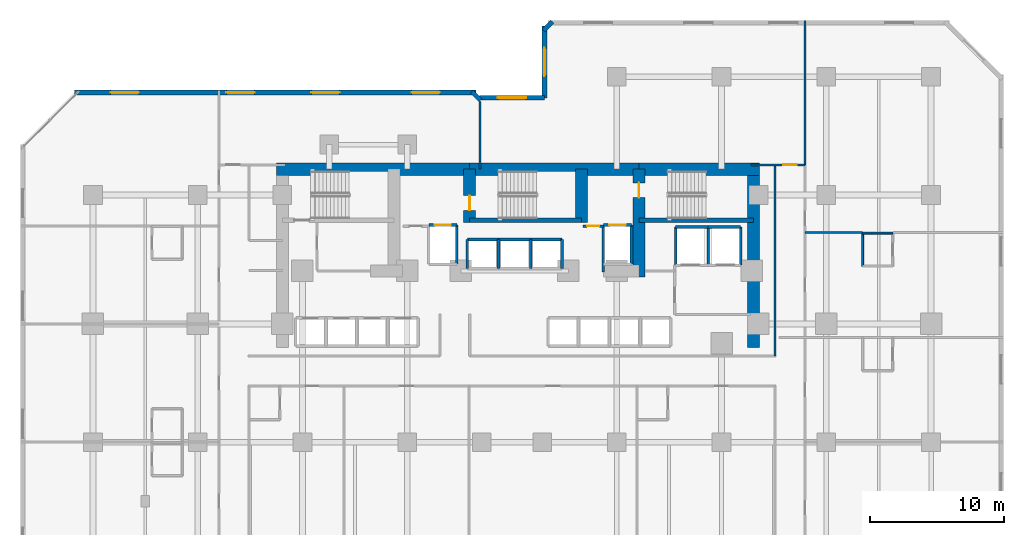
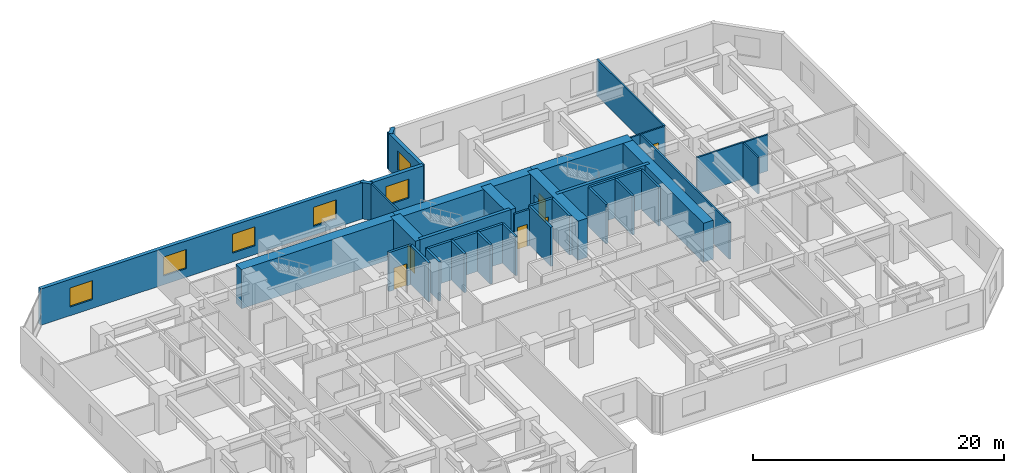
# One storey, part 8 of 11: 39 walls, 6 doors, 6 windows, 12 openings.
"""IFC4 building model written with IfcOpenShell, lengths in metres."""

from ifc_helpers import new_model, si_unit, direction, frame, frame_2d, origin, place, context, subcontext, project, spatial, rectangle, extrude, material, layer, layer_set, type_object, element, fill, save


model = new_model("IFC4")

# Units and contexts
model_context = context("Model", 3, precision=1e-05, world=origin(), true_north=direction((0.0, 1.0)))
body_context = subcontext(model_context, "Body", "Model", "MODEL_VIEW")
ifc_project = project(units=[si_unit("LENGTHUNIT", "METRE"), si_unit("AREAUNIT", "SQUARE_METRE"), si_unit("VOLUMEUNIT", "CUBIC_METRE"), si_unit("PLANEANGLEUNIT", "RADIAN"), si_unit("MASSUNIT", "GRAM", prefix="KILO")], contexts=[model_context])

# Site, building, storey
site_placement = place(None, origin())
site = spatial("IfcSite", under=ifc_project, at=site_placement, CompositionType="ELEMENT")
building_placement = place(site_placement, origin())
building = spatial("IfcBuilding", under=site, at=building_placement, Name="Kestravale Grand Hotel", CompositionType="ELEMENT")
storey_placement = place(building_placement, frame((0.0, 0.0, 45.0)))
storey = spatial("IfcBuildingStorey", under=building, at=storey_placement, Name="L10", CompositionType="ELEMENT", Elevation=45.0)

# Walls
ifc_material_1 = material(Name="Concrete f'c 70 MPa", Category="concrete")
ifc_layer_1 = layer(ifc_material_1, 0.89990234375)
ifc_layer_set_1 = layer_set([ifc_layer_1], Name="EW-CORE-900")
wall_type_1 = type_object("IfcWallType", Name="EW-CORE-900", PredefinedType="SHEAR", material=ifc_layer_set_1)
wall_1_placement = place(storey_placement, frame((21.449951171875, 40.320068359375, 0.0), z_axis=(0.0, 0.0, 1.0), x_axis=(1.0, 0.0, 0.0)))
element("IfcWall", 1, at=wall_1_placement, inside=storey, type_object=wall_type_1, Name="L10 core shear wall N1", PredefinedType="SHEAR", context=body_context, shape_type="SweptSolid", body=[
    extrude(rectangle(XDim=14.400146484375, YDim=0.89990234375, at=frame_2d((7.2001953125, 0.0))), origin(), (0.0, 0.0, 1.0), 3.800048828125),
])
wall_2_placement = place(storey_placement, frame((35.85009765625, 40.320068359375, 0.0), z_axis=(0.0, 0.0, 1.0), x_axis=(1.0, 0.0, 0.0)))
element("IfcWall", 2, at=wall_2_placement, inside=storey, type_object=wall_type_1, Name="L10 core shear wall N2", PredefinedType="SHEAR", context=body_context, shape_type="SweptSolid", body=[
    extrude(rectangle(XDim=12.599853515625, YDim=0.89990234375, at=frame_2d((6.2998046875, 0.0))), origin(), (0.0, 0.0, 1.0), 3.800048828125),
])
wall_3_placement = place(storey_placement, frame((48.449951171875, 40.320068359375, 0.0), z_axis=(0.0, 0.0, 1.0), x_axis=(1.0, 0.0, 0.0)))
element("IfcWall", 3, at=wall_3_placement, inside=storey, type_object=wall_type_1, Name="L10 core shear wall N3", PredefinedType="SHEAR", context=body_context, shape_type="SweptSolid", body=[
    extrude(rectangle(XDim=8.969970703125, YDim=0.89990234375, at=frame_2d((4.48486328125, 0.0))), origin(), (0.0, 0.0, 1.0), 3.800048828125),
])
wall_4_placement = place(storey_placement, frame((56.969970703125, 27.050048828125, 0.0), z_axis=(0.0, 0.0, 1.0), x_axis=(0.0, 1.0, 0.0)))
element("IfcWall", 4, at=wall_4_placement, inside=storey, type_object=wall_type_1, Name="L10 core shear wall E1", PredefinedType="SHEAR", context=body_context, shape_type="SweptSolid", body=[
    extrude(rectangle(XDim=13.719970703125, YDim=0.89990234375, at=frame_2d((6.85986328125, 0.0))), origin(), (0.0, 0.0, 1.0), 3.800048828125),
])

# Wall, opening, door
wall_5_placement = place(storey_placement, frame((35.85009765625, 36.3701171875, 0.0), z_axis=(0.0, 0.0, 1.0), x_axis=(0.0, 1.0, 0.0)))
wall_5 = element("IfcWall", 5, at=wall_5_placement, inside=storey, type_object=wall_type_1, Name="L10 core shear wall X2", PredefinedType="SHEAR", context=body_context, shape_type="SweptSolid", body=[
    extrude(rectangle(XDim=3.949951171875, YDim=0.89990234375, at=frame_2d((1.97509765625, 0.0))), origin(), (0.0, 0.0, 1.0), 3.800048828125),
])
opening_1_placement = place(wall_5_placement, frame((0.8798828125, 0.0, 0.0)))
opening_1 = element("IfcOpeningElement", 6, at=opening_1_placement, cuts=wall_5, Name="Opening D-ST-1100", PredefinedType="OPENING", context=body_context, shape_type="SweptSolid", body=[
    extrude(rectangle(XDim=1.10009765625, YDim=2.14990234375, at=frame_2d((0.550048828125, 1.074951171875))), frame((0.0, 0.4599609375, 0.0), z_axis=(0.0, -1.0, 0.0), x_axis=(1.0, 0.0, 0.0)), (0.0, 0.0, 1.0), 0.919921875),
])
ifc_material_2 = material(Name="Galvanised 90-minute fire-rated steel stair door", Category="steel")
door_type_1 = type_object("IfcDoorType", Name="D-ST-1100", OperationType="NOTDEFINED", PredefinedType="DOOR", material=ifc_material_2)
door_1_placement = place(opening_1_placement, origin())
door_1 = element("IfcDoor", 7, at=door_1_placement, inside=storey, type_object=door_type_1, Name="L10 Stair ST-2 FSAE fire door", OperationType="SINGLE_SWING_RIGHT", OverallHeight=2.14990234375, OverallWidth=1.10009765625, PredefinedType="DOOR", context=body_context, shape_type="SweptSolid", body=[
    extrude(rectangle(XDim=1.10009765625, YDim=2.14990234375, at=frame_2d((0.550048828125, 1.074951171875))), frame((0.0, 0.02490234375, 0.0), z_axis=(0.0, -1.0, 0.0), x_axis=(1.0, 0.0, 0.0)), (0.0, 0.0, 1.0), 0.050048828125),
])
fill(opening_1, door_1)

# Wall
wall_6_placement = place(storey_placement, frame((44.179931640625, 36.3701171875, 0.0), z_axis=(0.0, 0.0, 1.0), x_axis=(0.0, 1.0, 0.0)))
element("IfcWall", 8, at=wall_6_placement, inside=storey, type_object=wall_type_1, Name="L10 core shear wall X3", PredefinedType="SHEAR", context=body_context, shape_type="SweptSolid", body=[
    extrude(rectangle(XDim=3.949951171875, YDim=0.89990234375, at=frame_2d((1.97509765625, 0.0))), origin(), (0.0, 0.0, 1.0), 3.800048828125),
])

# Wall, opening, door
wall_7_placement = place(storey_placement, frame((48.449951171875, 32.300048828125, 0.0), z_axis=(0.0, 0.0, 1.0), x_axis=(0.0, 1.0, 0.0)))
wall_7 = element("IfcWall", 9, at=wall_7_placement, inside=storey, type_object=wall_type_1, Name="L10 core shear wall X4", PredefinedType="SHEAR", context=body_context, shape_type="SweptSolid", body=[
    extrude(rectangle(XDim=8.02001953125, YDim=0.89990234375, at=frame_2d((4.010009765625, 0.0))), origin(), (0.0, 0.0, 1.0), 3.800048828125),
])
opening_2_placement = place(wall_7_placement, frame((5.89990234375, 0.0, 0.0)))
opening_2 = element("IfcOpeningElement", 10, at=opening_2_placement, cuts=wall_7, Name="Opening D-ST-1100", PredefinedType="OPENING", context=body_context, shape_type="SweptSolid", body=[
    extrude(rectangle(XDim=1.10009765625, YDim=2.14990234375, at=frame_2d((0.550048828125, 1.074951171875))), frame((0.0, 0.4599609375, 0.0), z_axis=(0.0, -1.0, 0.0), x_axis=(1.0, 0.0, 0.0)), (0.0, 0.0, 1.0), 0.919921875),
])
door_2_placement = place(opening_2_placement, origin())
door_2 = element("IfcDoor", 11, at=door_2_placement, inside=storey, type_object=door_type_1, Name="L10 Stair ST-3 FSAE fire door", OperationType="SINGLE_SWING_RIGHT", OverallHeight=2.14990234375, OverallWidth=1.10009765625, PredefinedType="DOOR", context=body_context, shape_type="SweptSolid", body=[
    extrude(rectangle(XDim=1.10009765625, YDim=2.14990234375, at=frame_2d((0.550048828125, 1.074951171875))), frame((0.0, 0.02490234375, 0.0), z_axis=(0.0, -1.0, 0.0), x_axis=(1.0, 0.0, 0.0)), (0.0, 0.0, 1.0), 0.050048828125),
])
fill(opening_2, door_2)

# Wall
ifc_material_3 = material(Name="Precast concrete f'c 45 MPa", Category="concrete")
ifc_layer_2 = layer(ifc_material_3, 0.340087890625)
ifc_layer_set_2 = layer_set([ifc_layer_2], Name="EW-PREC-340")
wall_type_2 = type_object("IfcWallType", Name="EW-PREC-340", PredefinedType="SOLIDWALL", material=ifc_layer_set_2)
wall_8_placement = place(storey_placement, frame((41.99853515625, 51.30810546875, 0.0), z_axis=(0.0, 0.0, 1.0), x_axis=(-0.707238225886, -0.706975312048, 0.0)))
element("IfcWall", 12, at=wall_8_placement, inside=storey, type_object=wall_type_2, Name="L10 fluted precast facade wall 12", PredefinedType="SOLIDWALL", context=body_context, shape_type="SweptSolid", body=[
    extrude(rectangle(XDim=0.9287109375, YDim=0.340087890625, at=frame_2d((0.46435546875, 0.0))), origin(), (0.0, 0.0, 1.0), 3.5400390625),
])

# Wall, opening, window
wall_9_placement = place(storey_placement, frame((41.419921875, 50.969970703125, 0.0), z_axis=(0.0, 0.0, 1.0), x_axis=(0.0, -1.0, 0.0)))
wall_9 = element("IfcWall", 13, at=wall_9_placement, inside=storey, type_object=wall_type_2, Name="L10 fluted precast facade wall 13", PredefinedType="SOLIDWALL", context=body_context, shape_type="SweptSolid", body=[
    extrude(rectangle(XDim=5.340087890625, YDim=0.340087890625, at=frame_2d((2.669921875, 0.0))), origin(), (0.0, 0.0, 1.0), 3.5400390625),
])
opening_3_placement = place(wall_9_placement, frame((1.6201171875, 0.0, 0.85009765625)))
opening_3 = element("IfcOpeningElement", 14, at=opening_3_placement, cuts=wall_9, Name="Opening W-GUEST-2100", PredefinedType="OPENING", context=body_context, shape_type="SweptSolid", body=[
    extrude(rectangle(XDim=2.10009765625, YDim=1.85009765625, at=frame_2d((1.050048828125, 0.925048828125))), frame((0.0, 0.179931640625, 0.0), z_axis=(0.0, -1.0, 0.0), x_axis=(1.0, 0.0, 0.0)), (0.0, 0.0, 1.0), 0.360107421875),
])
ifc_material_4 = material(Name="Insulated low-E double glazing in aluminium frame", Category="aluminium")
window_type = type_object("IfcWindowType", Name="W-GUEST-2100", PartitioningType="DOUBLE_PANEL_VERTICAL", PredefinedType="WINDOW", material=ifc_material_4)
window_1_placement = place(opening_3_placement, origin())
window_1 = element("IfcWindow", 15, at=window_1_placement, inside=storey, type_object=window_type, Name="L10 exterior window 13.1", OverallHeight=1.85009765625, OverallWidth=2.10009765625, PartitioningType="SINGLE_PANEL", PredefinedType="WINDOW", context=body_context, shape_type="SweptSolid", body=[
    extrude(rectangle(XDim=2.10009765625, YDim=1.85009765625, at=frame_2d((1.050048828125, 0.925048828125))), frame((0.0, 0.030029296875, 0.0), z_axis=(0.0, -1.0, 0.0), x_axis=(1.0, 0.0, 0.0)), (0.0, 0.0, 1.0), 0.06005859375),
])
fill(opening_3, window_1)

wall_10_placement = place(storey_placement, frame((41.419921875, 45.6298828125, 0.0), z_axis=(0.0, 0.0, 1.0), x_axis=(-1.0, 0.0, 0.0)))
wall_10 = element("IfcWall", 16, at=wall_10_placement, inside=storey, type_object=wall_type_2, Name="L10 fluted precast facade wall 14", PredefinedType="SOLIDWALL", context=body_context, shape_type="SweptSolid", body=[
    extrude(rectangle(XDim=4.83984375, YDim=0.340087890625, at=frame_2d((2.419921875, 0.0))), origin(), (0.0, 0.0, 1.0), 3.5400390625),
])
opening_4_placement = place(wall_10_placement, frame((1.3701171875, 0.0, 0.85009765625)))
opening_4 = element("IfcOpeningElement", 17, at=opening_4_placement, cuts=wall_10, Name="Opening W-GUEST-2100", PredefinedType="OPENING", context=body_context, shape_type="SweptSolid", body=[
    extrude(rectangle(XDim=2.10009765625, YDim=1.85009765625, at=frame_2d((1.050048828125, 0.925048828125))), frame((0.0, 0.179931640625, 0.0), z_axis=(0.0, -1.0, 0.0), x_axis=(1.0, 0.0, 0.0)), (0.0, 0.0, 1.0), 0.360107421875),
])
window_2_placement = place(opening_4_placement, origin())
window_2 = element("IfcWindow", 18, at=window_2_placement, inside=storey, type_object=window_type, Name="L10 exterior window 14.1", OverallHeight=1.85009765625, OverallWidth=2.10009765625, PartitioningType="SINGLE_PANEL", PredefinedType="WINDOW", context=body_context, shape_type="SweptSolid", body=[
    extrude(rectangle(XDim=2.10009765625, YDim=1.85009765625, at=frame_2d((1.050048828125, 0.925048828125))), frame((0.0, 0.030029296875, 0.0), z_axis=(0.0, -1.0, 0.0), x_axis=(1.0, 0.0, 0.0)), (0.0, 0.0, 1.0), 0.06005859375),
])
fill(opening_4, window_2)

# Wall
wall_11_placement = place(storey_placement, frame((36.658203125, 45.451416015625, 0.0), z_axis=(0.0, 0.0, 1.0), x_axis=(-0.707106781187, 0.707106781187, 0.0)))
element("IfcWall", 19, at=wall_11_placement, inside=storey, type_object=wall_type_2, Name="L10 fluted precast facade wall 16", PredefinedType="SOLIDWALL", context=body_context, shape_type="SweptSolid", body=[
    extrude(rectangle(XDim=0.9287109375, YDim=0.340087890625, at=frame_2d((0.46435546875, 0.0))), origin(), (0.0, 0.0, 1.0), 3.5400390625),
])

# Wall, openings, windows
wall_12_placement = place(storey_placement, frame((36.320068359375, 46.030029296875, 0.0), z_axis=(0.0, 0.0, 1.0), x_axis=(-1.0, 0.0, 0.0)))
wall_12 = element("IfcWall", 20, at=wall_12_placement, inside=storey, type_object=wall_type_2, Name="L10 fluted precast facade wall 17", PredefinedType="SOLIDWALL", context=body_context, shape_type="SweptSolid", body=[
    extrude(rectangle(XDim=29.89013671875, YDim=0.340087890625, at=frame_2d((14.945068359375, 0.0))), origin(), (0.0, 0.0, 1.0), 3.5400390625),
])
opening_5_placement = place(wall_12_placement, frame((2.686279296875, 0.0, 0.85009765625)))
opening_5 = element("IfcOpeningElement", 21, at=opening_5_placement, cuts=wall_12, Name="Opening W-GUEST-2100", PredefinedType="OPENING", context=body_context, shape_type="SweptSolid", body=[
    extrude(rectangle(XDim=2.10009765625, YDim=1.85009765625, at=frame_2d((1.050048828125, 0.925048828125))), frame((0.0, 0.179931640625, 0.0), z_axis=(0.0, -1.0, 0.0), x_axis=(1.0, 0.0, 0.0)), (0.0, 0.0, 1.0), 0.360107421875),
])
opening_6_placement = place(wall_12_placement, frame((10.15869140625, 0.0, 0.85009765625)))
opening_6 = element("IfcOpeningElement", 22, at=opening_6_placement, cuts=wall_12, Name="Opening W-GUEST-2100", PredefinedType="OPENING", context=body_context, shape_type="SweptSolid", body=[
    extrude(rectangle(XDim=2.10009765625, YDim=1.85009765625, at=frame_2d((1.050048828125, 0.925048828125))), frame((0.0, 0.179931640625, 0.0), z_axis=(0.0, -1.0, 0.0), x_axis=(1.0, 0.0, 0.0)), (0.0, 0.0, 1.0), 0.360107421875),
])
opening_7_placement = place(wall_12_placement, frame((16.481201171875, 0.0, 0.85009765625)))
opening_7 = element("IfcOpeningElement", 23, at=opening_7_placement, cuts=wall_12, Name="Opening W-GUEST-2100", PredefinedType="OPENING", context=body_context, shape_type="SweptSolid", body=[
    extrude(rectangle(XDim=2.10009765625, YDim=1.85009765625, at=frame_2d((1.050048828125, 0.925048828125))), frame((0.0, 0.179931640625, 0.0), z_axis=(0.0, -1.0, 0.0), x_axis=(1.0, 0.0, 0.0)), (0.0, 0.0, 1.0), 0.360107421875),
])
opening_8_placement = place(wall_12_placement, frame((25.103759765625, 0.0, 0.85009765625)))
opening_8 = element("IfcOpeningElement", 24, at=opening_8_placement, cuts=wall_12, Name="Opening W-GUEST-2100", PredefinedType="OPENING", context=body_context, shape_type="SweptSolid", body=[
    extrude(rectangle(XDim=2.10009765625, YDim=1.85009765625, at=frame_2d((1.050048828125, 0.925048828125))), frame((0.0, 0.179931640625, 0.0), z_axis=(0.0, -1.0, 0.0), x_axis=(1.0, 0.0, 0.0)), (0.0, 0.0, 1.0), 0.360107421875),
])
window_3_placement = place(opening_5_placement, origin())
window_3 = element("IfcWindow", 25, at=window_3_placement, inside=storey, type_object=window_type, Name="L10 exterior window 17.1", OverallHeight=1.85009765625, OverallWidth=2.10009765625, PartitioningType="SINGLE_PANEL", PredefinedType="WINDOW", context=body_context, shape_type="SweptSolid", body=[
    extrude(rectangle(XDim=2.10009765625, YDim=1.85009765625, at=frame_2d((1.050048828125, 0.925048828125))), frame((0.0, 0.030029296875, 0.0), z_axis=(0.0, -1.0, 0.0), x_axis=(1.0, 0.0, 0.0)), (0.0, 0.0, 1.0), 0.06005859375),
])
fill(opening_5, window_3)
window_4_placement = place(opening_6_placement, origin())
window_4 = element("IfcWindow", 26, at=window_4_placement, inside=storey, type_object=window_type, Name="L10 exterior window 17.2", OverallHeight=1.85009765625, OverallWidth=2.10009765625, PartitioningType="SINGLE_PANEL", PredefinedType="WINDOW", context=body_context, shape_type="SweptSolid", body=[
    extrude(rectangle(XDim=2.10009765625, YDim=1.85009765625, at=frame_2d((1.050048828125, 0.925048828125))), frame((0.0, 0.030029296875, 0.0), z_axis=(0.0, -1.0, 0.0), x_axis=(1.0, 0.0, 0.0)), (0.0, 0.0, 1.0), 0.06005859375),
])
fill(opening_6, window_4)
window_5_placement = place(opening_7_placement, origin())
window_5 = element("IfcWindow", 27, at=window_5_placement, inside=storey, type_object=window_type, Name="L10 exterior window 17.3", OverallHeight=1.85009765625, OverallWidth=2.10009765625, PartitioningType="SINGLE_PANEL", PredefinedType="WINDOW", context=body_context, shape_type="SweptSolid", body=[
    extrude(rectangle(XDim=2.10009765625, YDim=1.85009765625, at=frame_2d((1.050048828125, 0.925048828125))), frame((0.0, 0.030029296875, 0.0), z_axis=(0.0, -1.0, 0.0), x_axis=(1.0, 0.0, 0.0)), (0.0, 0.0, 1.0), 0.06005859375),
])
fill(opening_7, window_5)
window_6_placement = place(opening_8_placement, origin())
window_6 = element("IfcWindow", 28, at=window_6_placement, inside=storey, type_object=window_type, Name="L10 exterior window 17.4", OverallHeight=1.85009765625, OverallWidth=2.10009765625, PartitioningType="SINGLE_PANEL", PredefinedType="WINDOW", context=body_context, shape_type="SweptSolid", body=[
    extrude(rectangle(XDim=2.10009765625, YDim=1.85009765625, at=frame_2d((1.050048828125, 0.925048828125))), frame((0.0, 0.030029296875, 0.0), z_axis=(0.0, -1.0, 0.0), x_axis=(1.0, 0.0, 0.0)), (0.0, 0.0, 1.0), 0.06005859375),
])
fill(opening_8, window_6)

# Walls
ifc_material_5 = material(Name="Concrete f'c 45 MPa", Category="concrete")
ifc_layer_3 = layer(ifc_material_5, 0.300048828125)
ifc_layer_set_3 = layer_set([ifc_layer_3], Name="EW-STAIR-300")
wall_type_3 = type_object("IfcWallType", Name="EW-STAIR-300", PredefinedType="SHEAR", material=ifc_layer_set_3)
wall_13_placement = place(storey_placement, frame((35.85009765625, 36.52001953125, 0.0), z_axis=(0.0, 0.0, 1.0), x_axis=(1.0, 0.0, 0.0)))
element("IfcWall", 29, at=wall_13_placement, inside=storey, type_object=wall_type_3, Name="L10 stair enclosure shear wall SST2", PredefinedType="SHEAR", context=body_context, shape_type="SweptSolid", body=[
    extrude(rectangle(XDim=8.329833984375, YDim=0.300048828125, at=frame_2d((4.1650390625, 0.0))), origin(), (0.0, 0.0, 1.0), 3.800048828125),
])
wall_14_placement = place(storey_placement, frame((48.449951171875, 36.52001953125, 0.0), z_axis=(0.0, 0.0, 1.0), x_axis=(1.0, 0.0, 0.0)))
element("IfcWall", 30, at=wall_14_placement, inside=storey, type_object=wall_type_3, Name="L10 stair enclosure shear wall SST3", PredefinedType="SHEAR", context=body_context, shape_type="SweptSolid", body=[
    extrude(rectangle(XDim=8.52001953125, YDim=0.300048828125, at=frame_2d((4.260009765625, 0.0))), origin(), (0.0, 0.0, 1.0), 3.800048828125),
])
ifc_material_6 = material(Name="Acoustic fire-rated gypsum board partition", Category="other")
ifc_layer_4 = layer(ifc_material_6, 0.159912109375)
ifc_layer_set_4 = layer_set([ifc_layer_4], Name="IW-CORR-160")
wall_type_4 = type_object("IfcWallType", Name="IW-CORR-160", PredefinedType="PARTITIONING", material=ifc_layer_set_4)
wall_15_placement = place(storey_placement, frame((58.590087890625, 26.409912109375, 0.0), z_axis=(0.0, 0.0, 1.0), x_axis=(0.0, 1.0, 0.0)))
element("IfcWall", 31, at=wall_15_placement, inside=storey, type_object=wall_type_4, Name="W-L10-SE-WU", PredefinedType="PARTITIONING", context=body_context, shape_type="SweptSolid", body=[
    extrude(rectangle(XDim=14.239990234375, YDim=0.159912109375, at=frame_2d((7.1201171875, 0.0))), origin(), (0.0, 0.0, 1.0), 3.5400390625),
])

# Wall, opening, door
ifc_material_7 = material(Name="Fire-rated gypsum board on steel studs with mineral wool", Category="steel")
ifc_layer_5 = layer(ifc_material_7, 0.179931640625)
ifc_layer_set_5 = layer_set([ifc_layer_5], Name="IW-FSAE-180")
wall_type_5 = type_object("IfcWallType", Name="IW-FSAE-180", PredefinedType="PARTITIONING", material=ifc_layer_set_5)
wall_16_placement = place(storey_placement, frame((44.300048828125, 36.080078125, 0.0), z_axis=(0.0, 0.0, 1.0), x_axis=(1.0, 0.0, 0.0)))
wall_16 = element("IfcWall", 32, at=wall_16_placement, inside=storey, type_object=wall_type_5, Name="L10 FSAE Lobby 2 smoke barrier", PredefinedType="PARTITIONING", context=body_context, shape_type="SweptSolid", body=[
    extrude(rectangle(XDim=1.5, YDim=0.179931640625, at=frame_2d((0.75, 0.0))), origin(), (0.0, 0.0, 1.0), 3.5400390625),
])
opening_9_placement = place(wall_16_placement, frame((0.300048828125, 0.0, 0.0)))
opening_9 = element("IfcOpeningElement", 33, at=opening_9_placement, cuts=wall_16, Name="Opening D-FSAE-1000", PredefinedType="OPENING", context=body_context, shape_type="SweptSolid", body=[
    extrude(rectangle(XDim=0.89990234375, YDim=2.14990234375, at=frame_2d((0.449951171875, 1.074951171875))), frame((0.0, 0.099853515625, 0.0), z_axis=(0.0, -1.0, 0.0), x_axis=(1.0, 0.0, 0.0)), (0.0, 0.0, 1.0), 0.199951171875),
])
ifc_material_8 = material(Name="Smoke-gasketed FSAE lobby fire door", Category="steel")
door_type_2 = type_object("IfcDoorType", Name="D-FSAE-1000", OperationType="NOTDEFINED", PredefinedType="DOOR", material=ifc_material_8)
door_3_placement = place(opening_9_placement, origin())
door_3 = element("IfcDoor", 34, at=door_3_placement, inside=storey, type_object=door_type_2, Name="L10 FSAE Lobby 2 fire door", OperationType="SINGLE_SWING_LEFT", OverallHeight=2.14990234375, OverallWidth=0.89990234375, PredefinedType="DOOR", context=body_context, shape_type="SweptSolid", body=[
    extrude(rectangle(XDim=0.89990234375, YDim=2.14990234375, at=frame_2d((0.449951171875, 1.074951171875))), frame((0.0, 0.02490234375, 0.0), z_axis=(0.0, -1.0, 0.0), x_axis=(1.0, 0.0, 0.0)), (0.0, 0.0, 1.0), 0.050048828125),
])
fill(opening_9, door_3)

# Walls
ifc_material_9 = material(Name="Moisture-resistant tile-backer plumbing chase wall", Category="other")
ifc_layer_6 = layer(ifc_material_9, 0.139892578125)
ifc_layer_set_6 = layer_set([ifc_layer_6], Name="IW-PLB-140")
wall_type_6 = type_object("IfcWallType", Name="IW-PLB-140", PredefinedType="PLUMBINGWALL", material=ifc_layer_set_6)
wall_17_placement = place(storey_placement, frame((65.10009765625, 33.110107421875, 0.0), z_axis=(0.0, 0.0, 1.0), x_axis=(0.0, 1.0, 0.0)))
element("IfcWall", 35, at=wall_17_placement, inside=storey, type_object=wall_type_6, Name="W-L10-U09-BW", PredefinedType="PLUMBINGWALL", context=body_context, shape_type="SweptSolid", body=[
    extrude(rectangle(XDim=2.449951171875, YDim=0.139892578125, at=frame_2d((1.22509765625, 0.0))), origin(), (0.0, 0.0, 1.0), 3.5400390625),
])
wall_18_placement = place(storey_placement, frame((65.10009765625, 35.56005859375, 0.0), z_axis=(0.0, 0.0, 1.0), x_axis=(1.0, 0.0, 0.0)))
element("IfcWall", 36, at=wall_18_placement, inside=storey, type_object=wall_type_6, Name="W-L10-U09-BN", PredefinedType="PLUMBINGWALL", context=body_context, shape_type="SweptSolid", body=[
    extrude(rectangle(XDim=2.25, YDim=0.139892578125, at=frame_2d((1.125, 0.0))), origin(), (0.0, 0.0, 1.0), 3.5400390625),
])
ifc_material_10 = material(Name="Concrete f'c 45 MPa", Category="concrete")
ifc_layer_7 = layer(ifc_material_10, 0.199951171875)
ifc_layer_set_7 = layer_set([ifc_layer_7], Name="IW-SHAFT-200")
wall_type_7 = type_object("IfcWallType", Name="IW-SHAFT-200", PredefinedType="SHEAR", material=ifc_layer_set_7)
for number, where, z_axis, x_axis, name in (
    (37, (35.679931640625, 32.919921875, 0.0), (0.0, 0.0, 1.0), (0.0, 1.0, 0.0), "L10 PL-X1 west shaft wall"),
    (38, (38.0, 32.919921875, 0.0), (0.0, 0.0, 1.0), (0.0, 1.0, 0.0), "L10 PL-X2 west shaft wall"),
    (39, (40.39990234375, 32.919921875, 0.0), (0.0, 0.0, 1.0), (0.0, 1.0, 0.0), "L10 PL-X3 west shaft wall"),
    (40, (42.719970703125, 32.919921875, 0.0), (0.0, 0.0, 1.0), (0.0, 1.0, 0.0), "L10 PL-X3 east shaft wall"),
):
    element("IfcWall", number, at=place(storey_placement, frame(where, z_axis=z_axis, x_axis=x_axis)), inside=storey, type_object=wall_type_7, Name=name, PredefinedType="SHEAR", context=body_context, shape_type="SweptSolid", body=[
        extrude(rectangle(XDim=2.16015625, YDim=0.199951171875, at=frame_2d((1.080078125, 0.0))), origin(), (0.0, 0.0, 1.0), 3.800048828125),
    ])
for number, where, z_axis, x_axis, name in (
    (41, (51.179931640625, 33.169921875, 0.0), (0.0, 0.0, 1.0), (0.0, 1.0, 0.0), "L10 SL-1 west shaft wall"),
    (42, (53.60009765625, 33.169921875, 0.0), (0.0, 0.0, 1.0), (0.0, 1.0, 0.0), "L10 SL-2 west shaft wall"),
    (43, (56.02001953125, 33.169921875, 0.0), (0.0, 0.0, 1.0), (0.0, 1.0, 0.0), "L10 SL-2 east shaft wall"),
):
    element("IfcWall", number, at=place(storey_placement, frame(where, z_axis=z_axis, x_axis=x_axis)), inside=storey, type_object=wall_type_7, Name=name, PredefinedType="SHEAR", context=body_context, shape_type="SweptSolid", body=[
        extrude(rectangle(XDim=2.860107421875, YDim=0.199951171875, at=frame_2d((1.43017578125, 0.0))), origin(), (0.0, 0.0, 1.0), 3.800048828125),
    ])
wall_19_placement = place(storey_placement, frame((34.89501953125, 33.2451171875, 0.0), z_axis=(0.0, 0.0, 1.0), x_axis=(0.0, 1.0, 0.0)))
element("IfcWall", 44, at=wall_19_placement, inside=storey, type_object=wall_type_7, Name="L10 FL-1 east shaft wall", PredefinedType="SHEAR", context=body_context, shape_type="SweptSolid", body=[
    extrude(rectangle(XDim=2.909912109375, YDim=0.199951171875, at=frame_2d((1.455078125, 0.0))), origin(), (0.0, 0.0, 1.0), 3.800048828125),
])
wall_20_placement = place(storey_placement, frame((45.804931640625, 32.64990234375, 0.0), z_axis=(0.0, 0.0, 1.0), x_axis=(0.0, 1.0, 0.0)))
element("IfcWall", 45, at=wall_20_placement, inside=storey, type_object=wall_type_7, Name="L10 FL-2 west shaft wall", PredefinedType="SHEAR", context=body_context, shape_type="SweptSolid", body=[
    extrude(rectangle(XDim=3.505126953125, YDim=0.199951171875, at=frame_2d((1.75244140625, 0.0))), origin(), (0.0, 0.0, 1.0), 3.800048828125),
])
wall_21_placement = place(storey_placement, frame((47.89501953125, 33.2451171875, 0.0), z_axis=(0.0, 0.0, 1.0), x_axis=(0.0, 1.0, 0.0)))
element("IfcWall", 46, at=wall_21_placement, inside=storey, type_object=wall_type_7, Name="L10 FL-2 east shaft wall", PredefinedType="SHEAR", context=body_context, shape_type="SweptSolid", body=[
    extrude(rectangle(XDim=2.909912109375, YDim=0.199951171875, at=frame_2d((1.455078125, 0.0))), origin(), (0.0, 0.0, 1.0), 3.800048828125),
])
ifc_material_11 = material(Name="Concrete f'c 45 MPa", Category="concrete")
ifc_layer_8 = layer(ifc_material_11, 0.219970703125)
ifc_layer_set_8 = layer_set([ifc_layer_8], Name="IW-SHAFT-220")
wall_type_8 = type_object("IfcWallType", Name="IW-SHAFT-220", PredefinedType="SHEAR", material=ifc_layer_set_8)
wall_22_placement = place(storey_placement, frame((35.679931640625, 35.080078125, 0.0), z_axis=(0.0, 0.0, 1.0), x_axis=(1.0, 0.0, 0.0)))
element("IfcWall", 47, at=wall_22_placement, inside=storey, type_object=wall_type_8, Name="L10 PL-X1 north shaft wall", PredefinedType="SHEAR", context=body_context, shape_type="SweptSolid", body=[
    extrude(rectangle(XDim=2.320068359375, YDim=0.219970703125, at=frame_2d((1.16015625, 0.0))), origin(), (0.0, 0.0, 1.0), 3.800048828125),
])
wall_23_placement = place(storey_placement, frame((38.0, 35.080078125, 0.0), z_axis=(0.0, 0.0, 1.0), x_axis=(1.0, 0.0, 0.0)))
element("IfcWall", 48, at=wall_23_placement, inside=storey, type_object=wall_type_8, Name="L10 PL-X2 north shaft wall", PredefinedType="SHEAR", context=body_context, shape_type="SweptSolid", body=[
    extrude(rectangle(XDim=2.39990234375, YDim=0.219970703125, at=frame_2d((1.199951171875, 0.0))), origin(), (0.0, 0.0, 1.0), 3.800048828125),
])
wall_24_placement = place(storey_placement, frame((40.39990234375, 35.080078125, 0.0), z_axis=(0.0, 0.0, 1.0), x_axis=(1.0, 0.0, 0.0)))
element("IfcWall", 49, at=wall_24_placement, inside=storey, type_object=wall_type_8, Name="L10 PL-X3 north shaft wall", PredefinedType="SHEAR", context=body_context, shape_type="SweptSolid", body=[
    extrude(rectangle(XDim=2.320068359375, YDim=0.219970703125, at=frame_2d((1.16015625, 0.0))), origin(), (0.0, 0.0, 1.0), 3.800048828125),
])
wall_25_placement = place(storey_placement, frame((51.179931640625, 36.030029296875, 0.0), z_axis=(0.0, 0.0, 1.0), x_axis=(1.0, 0.0, 0.0)))
element("IfcWall", 50, at=wall_25_placement, inside=storey, type_object=wall_type_8, Name="L10 SL-1 north shaft wall", PredefinedType="SHEAR", context=body_context, shape_type="SweptSolid", body=[
    extrude(rectangle(XDim=2.420166015625, YDim=0.219970703125, at=frame_2d((1.2099609375, 0.0))), origin(), (0.0, 0.0, 1.0), 3.800048828125),
])
wall_26_placement = place(storey_placement, frame((53.60009765625, 36.030029296875, 0.0), z_axis=(0.0, 0.0, 1.0), x_axis=(1.0, 0.0, 0.0)))
element("IfcWall", 51, at=wall_26_placement, inside=storey, type_object=wall_type_8, Name="L10 SL-2 north shaft wall", PredefinedType="SHEAR", context=body_context, shape_type="SweptSolid", body=[
    extrude(rectangle(XDim=2.419921875, YDim=0.219970703125, at=frame_2d((1.2099609375, 0.0))), origin(), (0.0, 0.0, 1.0), 3.800048828125),
])

# Wall, opening, door
wall_27_placement = place(storey_placement, frame((32.804931640625, 36.155029296875, 0.0), z_axis=(0.0, 0.0, 1.0), x_axis=(1.0, 0.0, 0.0)))
wall_27 = element("IfcWall", 52, at=wall_27_placement, inside=storey, type_object=wall_type_8, Name="L10 FL-1 north shaft wall", PredefinedType="SHEAR", context=body_context, shape_type="SweptSolid", body=[
    extrude(rectangle(XDim=2.090087890625, YDim=0.219970703125, at=frame_2d((1.044921875, 0.0))), origin(), (0.0, 0.0, 1.0), 3.800048828125),
])
opening_10_placement = place(wall_27_placement, frame((0.445068359375, 0.0, 0.0)))
opening_10 = element("IfcOpeningElement", 53, at=opening_10_placement, cuts=wall_27, Name="Opening LD-FSAE-1200", PredefinedType="OPENING", context=body_context, shape_type="SweptSolid", body=[
    extrude(rectangle(XDim=1.199951171875, YDim=2.14990234375, at=frame_2d((0.60009765625, 1.074951171875))), frame((0.0, 0.119873046875, 0.0), z_axis=(0.0, -1.0, 0.0), x_axis=(1.0, 0.0, 0.0)), (0.0, 0.0, 1.0), 0.239990234375),
])
ifc_material_12 = material(Name="Stainless fire-service sliding elevator landing door", Category="steel")
door_type_3 = type_object("IfcDoorType", Name="LD-FSAE-1200", OperationType="NOTDEFINED", PredefinedType="DOOR", material=ifc_material_12)
door_4_placement = place(opening_10_placement, origin())
door_4 = element("IfcDoor", 54, at=door_4_placement, inside=storey, type_object=door_type_3, Name="L10 FL-1 elevator landing sliding door", OperationType="DOUBLE_DOOR_SLIDING", OverallHeight=2.14990234375, OverallWidth=1.199951171875, PredefinedType="DOOR", context=body_context, shape_type="SweptSolid", body=[
    extrude(rectangle(XDim=1.199951171875, YDim=2.14990234375, at=frame_2d((0.60009765625, 1.074951171875))), frame((0.0, 0.02490234375, 0.0), z_axis=(0.0, -1.0, 0.0), x_axis=(1.0, 0.0, 0.0)), (0.0, 0.0, 1.0), 0.050048828125),
])
fill(opening_10, door_4)

wall_28_placement = place(storey_placement, frame((45.804931640625, 36.155029296875, 0.0), z_axis=(0.0, 0.0, 1.0), x_axis=(1.0, 0.0, 0.0)))
wall_28 = element("IfcWall", 55, at=wall_28_placement, inside=storey, type_object=wall_type_8, Name="L10 FL-2 north shaft wall", PredefinedType="SHEAR", context=body_context, shape_type="SweptSolid", body=[
    extrude(rectangle(XDim=2.090087890625, YDim=0.219970703125, at=frame_2d((1.044921875, 0.0))), origin(), (0.0, 0.0, 1.0), 3.800048828125),
])
opening_11_placement = place(wall_28_placement, frame((0.445068359375, 0.0, 0.0)))
opening_11 = element("IfcOpeningElement", 56, at=opening_11_placement, cuts=wall_28, Name="Opening LD-FSAE-1200", PredefinedType="OPENING", context=body_context, shape_type="SweptSolid", body=[
    extrude(rectangle(XDim=1.199951171875, YDim=2.14990234375, at=frame_2d((0.60009765625, 1.074951171875))), frame((0.0, 0.119873046875, 0.0), z_axis=(0.0, -1.0, 0.0), x_axis=(1.0, 0.0, 0.0)), (0.0, 0.0, 1.0), 0.239990234375),
])
door_5_placement = place(opening_11_placement, origin())
door_5 = element("IfcDoor", 57, at=door_5_placement, inside=storey, type_object=door_type_3, Name="L10 FL-2 elevator landing sliding door", OperationType="DOUBLE_DOOR_SLIDING", OverallHeight=2.14990234375, OverallWidth=1.199951171875, PredefinedType="DOOR", context=body_context, shape_type="SweptSolid", body=[
    extrude(rectangle(XDim=1.199951171875, YDim=2.14990234375, at=frame_2d((0.60009765625, 1.074951171875))), frame((0.0, 0.02490234375, 0.0), z_axis=(0.0, -1.0, 0.0), x_axis=(1.0, 0.0, 0.0)), (0.0, 0.0, 1.0), 0.050048828125),
])
fill(opening_11, door_5)

ifc_material_13 = material(Name="Double-stud STC 52 acoustic demising partition", Category="other")
ifc_layer_9 = layer(ifc_material_13, 0.14990234375)
ifc_layer_set_9 = layer_set([ifc_layer_9], Name="IW-UNIT-150")
wall_type_9 = type_object("IfcWallType", Name="IW-UNIT-150", PredefinedType="PARTITIONING", material=ifc_layer_set_9)
wall_29_placement = place(storey_placement, frame((56.800048828125, 40.64990234375, 0.0), z_axis=(0.0, 0.0, 1.0), x_axis=(1.0, 0.0, 0.0)))
wall_29 = element("IfcWall", 58, at=wall_29_placement, inside=storey, type_object=wall_type_9, Name="W-L10-SE-N", PredefinedType="PARTITIONING", context=body_context, shape_type="SweptSolid", body=[
    extrude(rectangle(XDim=4.010009765625, YDim=0.14990234375, at=frame_2d((2.0048828125, 0.0))), origin(), (0.0, 0.0, 1.0), 3.5400390625),
])
opening_12_placement = place(wall_29_placement, frame((2.39990234375, 0.0, 0.0)))
opening_12 = element("IfcOpeningElement", 59, at=opening_12_placement, cuts=wall_29, Name="Opening D-GUEST-1000", PredefinedType="OPENING", context=body_context, shape_type="SweptSolid", body=[
    extrude(rectangle(XDim=1.0, YDim=2.14990234375, at=frame_2d((0.5, 1.074951171875))), frame((0.0, 0.0849609375, 0.0), z_axis=(0.0, -1.0, 0.0), x_axis=(1.0, 0.0, 0.0)), (0.0, 0.0, 1.0), 0.169921875),
])
ifc_material_14 = material(Name="Accessible walnut veneer hotel entrance fire door", Category="wood")
door_type_4 = type_object("IfcDoorType", Name="D-GUEST-1000", OperationType="NOTDEFINED", PredefinedType="DOOR", material=ifc_material_14)
door_6_placement = place(opening_12_placement, origin())
door_6 = element("IfcDoor", 60, at=door_6_placement, inside=storey, type_object=door_type_4, Name="L10 NE Gallery Door", OperationType="SINGLE_SWING_LEFT", OverallHeight=2.14990234375, OverallWidth=1.0, PredefinedType="DOOR", context=body_context, shape_type="SweptSolid", body=[
    extrude(rectangle(XDim=1.0, YDim=2.14990234375, at=frame_2d((0.5, 1.074951171875))), frame((0.0, 0.02490234375, 0.0), z_axis=(0.0, -1.0, 0.0), x_axis=(1.0, 0.0, 0.0)), (0.0, 0.0, 1.0), 0.050048828125),
])
fill(opening_12, door_6)

# Walls
wall_30_placement = place(storey_placement, frame((36.60009765625, 40.320068359375, 0.0), z_axis=(0.0, 0.0, 1.0), x_axis=(0.0, 1.0, 0.0)))
element("IfcWall", 61, at=wall_30_placement, inside=storey, type_object=wall_type_9, Name="W-L10-NGM", PredefinedType="PARTITIONING", context=body_context, shape_type="SweptSolid", body=[
    extrude(rectangle(XDim=5.044921875, YDim=0.14990234375, at=frame_2d((2.5224609375, 0.0))), origin(), (0.0, 0.0, 1.0), 3.5400390625),
])
wall_31_placement = place(storey_placement, frame((60.81005859375, 40.64990234375, 0.0), z_axis=(0.0, 0.0, 1.0), x_axis=(0.0, 1.0, 0.0)))
element("IfcWall", 62, at=wall_31_placement, inside=storey, type_object=wall_type_9, Name="W-L10-NGE-E", PredefinedType="PARTITIONING", context=body_context, shape_type="SweptSolid", body=[
    extrude(rectangle(XDim=10.72998046875, YDim=0.14990234375, at=frame_2d((5.364990234375, 0.0))), origin(), (0.0, 0.0, 1.0), 3.5400390625),
])
wall_32_placement = place(storey_placement, frame((60.81005859375, 35.60009765625, 0.0), z_axis=(0.0, 0.0, 1.0), x_axis=(1.0, 0.0, 0.0)))
element("IfcWall", 63, at=wall_32_placement, inside=storey, type_object=wall_type_9, Name="W-L10-EW-2", PredefinedType="PARTITIONING", context=body_context, shape_type="SweptSolid", body=[
    extrude(rectangle(XDim=4.2900390625, YDim=0.14990234375, at=frame_2d((2.14501953125, 0.0))), origin(), (0.0, 0.0, 1.0), 3.5400390625),
])

save(model, "model.ifc")
